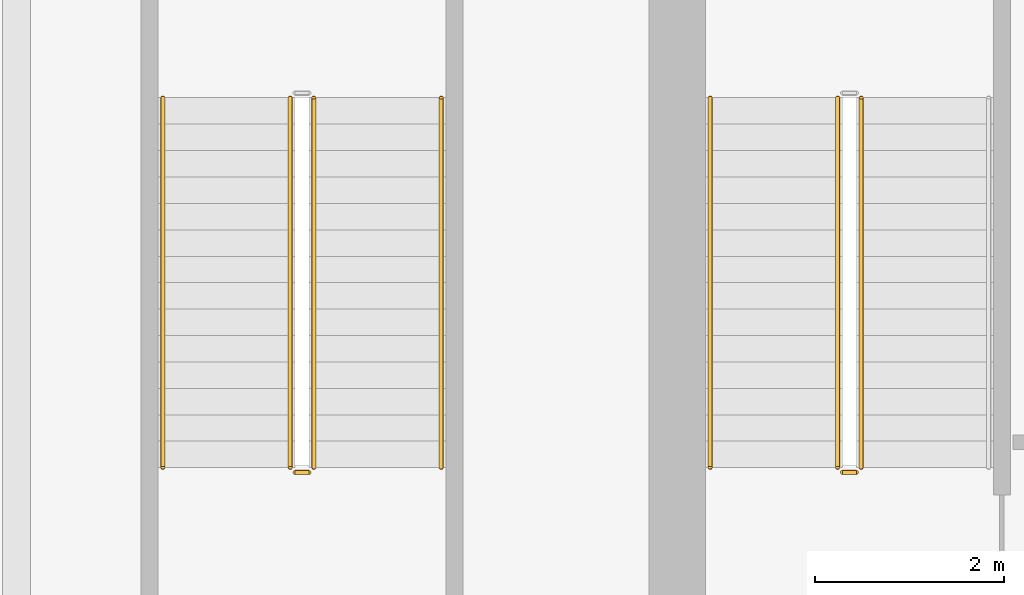
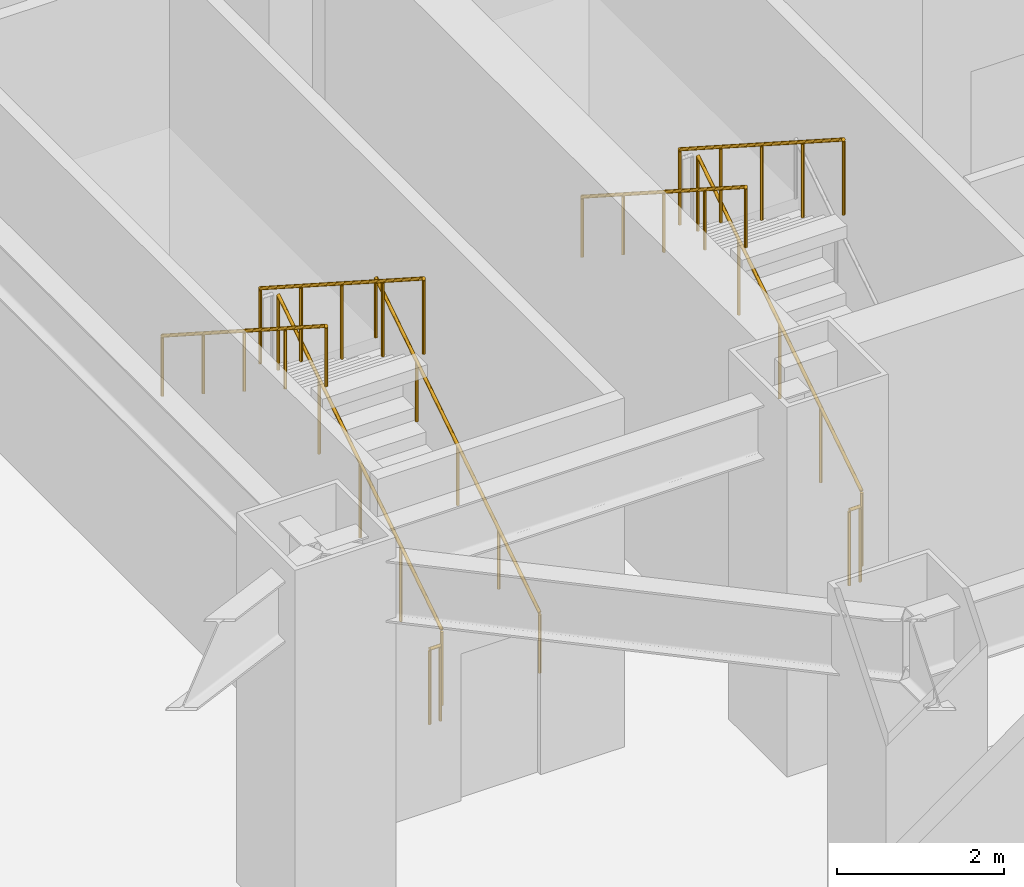
# One storey, part 46 of 52: 9 railings.
"""IFC4 building model written with IfcOpenShell, lengths in metres."""

import ifcopenshell
import ifcopenshell.guid

model = None  # the IFC model being written
_history = None  # IfcOwnerHistory: only IFC2X3 demands one
_inside = {}  # id of a spatial element -> (the spatial element, [elements in it])
_under = {}  # id of a project, library or spatial element -> (it, [spatial elements below it])
_declared = {}  # id of a project -> (the project, [libraries it declares])
_typed = {}  # id of a type object -> (the type object, [elements of that type])
_made_of = {}  # id of a material, layer set ... -> (it, [elements and type objects made of it])


def new_model(schema):
    """Start an empty IFC model of exactly this schema.

    Asked for "IFC4X3", IfcOpenShell would pick the latest addendum, in which some entities
    have other attributes; the version numbers below select the first issue.
    IFC2X3 requires an IfcOwnerHistory on every rooted entity: one is made here for all.
    """
    global model, _history
    if schema == "IFC4X3":
        model = ifcopenshell.file(schema_version=(4, 3, 0, 0))
    else:
        model = ifcopenshell.file(schema=schema)
    _inside.clear()
    _under.clear()
    _declared.clear()
    _typed.clear()
    _made_of.clear()
    _history = None
    if model.schema == "IFC2X3":
        org = make("IfcOrganization", Name="unknown")
        user = make(
            "IfcPersonAndOrganization",
            ThePerson=make("IfcPerson", FamilyName="unknown"),
            TheOrganization=org,
        )
        app = make(
            "IfcApplication",
            ApplicationDeveloper=org,
            Version="unknown",
            ApplicationFullName="unknown",
            ApplicationIdentifier="unknown",
        )
        _history = make(
            "IfcOwnerHistory",
            OwningUser=user,
            OwningApplication=app,
            ChangeAction="ADDED",
            CreationDate=0,
        )
    return model


def make(cls, **values):
    """One entity of the class cls with the attributes given. An attribute that is None is left unset."""
    return model.create_entity(
        cls, **{name: value for name, value in values.items() if value is not None}
    )


def rooted(cls, **values):
    """An entity with a GlobalId (a new one), such as an element, a storey or a relation."""
    return make(cls, GlobalId=ifcopenshell.guid.new(), OwnerHistory=_history, **values)


def si_unit(unit_type, name, prefix=None):
    """IfcSIUnit, for example si_unit("LENGTHUNIT", "METRE", prefix="MILLI")."""
    return make("IfcSIUnit", UnitType=unit_type, Prefix=prefix, Name=name)


def assignment(units):
    """IfcUnitAssignment: the units of a project."""
    return None if units is None else make("IfcUnitAssignment", Units=units)


def point(xyz):
    """IfcCartesianPoint."""
    return None if xyz is None else make("IfcCartesianPoint", Coordinates=xyz)


def direction(xyz):
    """IfcDirection."""
    return None if xyz is None else make("IfcDirection", DirectionRatios=xyz)


def frame(location, z_axis=None, x_axis=None):
    """IfcAxis2Placement3D, a coordinate frame: its origin and axes. An axis left out is left unset."""
    return make(
        "IfcAxis2Placement3D",
        Location=point(location),
        Axis=direction(z_axis),
        RefDirection=direction(x_axis),
    )


def frame_2d(location, x_axis=None):
    """IfcAxis2Placement2D, a coordinate frame in the plane: its origin and x axis."""
    return make(
        "IfcAxis2Placement2D", Location=point(location), RefDirection=direction(x_axis)
    )


def origin():
    """The frame at (0, 0, 0) with its axes left unset."""
    return frame((0.0, 0.0, 0.0))


def origin_2d():
    """The frame at (0, 0) in the plane with its x axis left unset."""
    return frame_2d((0.0, 0.0))


def place(relative_to, where):
    """IfcLocalPlacement: puts the frame where relative to a parent placement (None: the world)."""
    return make(
        "IfcLocalPlacement", PlacementRelTo=relative_to, RelativePlacement=where
    )


def context(
    kind, dimensions, precision=None, world=None, true_north=None, identifier=None
):
    """IfcGeometricRepresentationContext, for example the 3D "Model" context."""
    return make(
        "IfcGeometricRepresentationContext",
        ContextIdentifier=identifier,
        ContextType=kind,
        CoordinateSpaceDimension=dimensions,
        Precision=precision,
        WorldCoordinateSystem=world,
        TrueNorth=true_north,
    )


def subcontext(parent, identifier, kind, view, scale=None):
    """IfcGeometricRepresentationSubContext, for example "Body" below "Model"."""
    return make(
        "IfcGeometricRepresentationSubContext",
        ContextIdentifier=identifier,
        ContextType=kind,
        ParentContext=parent,
        TargetScale=scale,
        TargetView=view,
    )


def project(units=None, contexts=None):
    """IfcProject with its units and contexts."""
    return rooted(
        "IfcProject",
        Name="project",
        RepresentationContexts=contexts,
        UnitsInContext=assignment(units),
    )


def spatial(cls, under=None, at=None, **own):
    """A site, building, storey or space (cls), placed at a placement, below another one or the project."""
    s = rooted(cls, ObjectPlacement=at, **own)
    if under is not None:
        _under.setdefault(under.id(), (under, []))[1].append(s)
    return s


def profile(cls, at=None, kind="AREA", **sizes):
    """A parametric profile (cls). Its sizes go by their IFC names, for example OverallWidth=200.0."""
    return make(cls, ProfileType=kind, Position=at, **sizes)


def circle(**sizes):
    """IfcCircleProfileDef."""
    return profile("IfcCircleProfileDef", **sizes)


def extrude(swept, where, along, depth):
    """IfcExtrudedAreaSolid: the profile swept, set in the frame where, extruded along a direction by depth."""
    return make(
        "IfcExtrudedAreaSolid",
        SweptArea=swept,
        Position=where,
        ExtrudedDirection=direction(along),
        Depth=depth,
    )


def shape(context_of_items, identifier, shape_type, items):
    """IfcShapeRepresentation: the items that make up one representation, for example the "Body"."""
    return make(
        "IfcShapeRepresentation",
        ContextOfItems=context_of_items,
        RepresentationIdentifier=identifier,
        RepresentationType=shape_type,
        Items=items,
    )


def material(Name=None, Category=None):
    """IfcMaterial."""
    return make("IfcMaterial", Name=Name, Category=Category)


def made_of(thing, what):
    """Note that an element or type object is made of a material, layer set ...; save() writes the relation."""
    if what is not None:
        _made_of.setdefault(what.id(), (what, []))[1].append(thing)
    return thing


def type_object(cls, material=None, **own):
    """A type object (cls), such as IfcWallType, which elements share."""
    return made_of(rooted(cls, **own), material)


def element(
    cls,
    number,
    at=None,
    inside=None,
    cuts=None,
    type_object=None,
    material=None,
    context=None,
    identifier="Body",
    shape_type=None,
    held_by="IfcProductDefinitionShape",
    body=None,
    shapes=None,
    **own,
):
    """One element of the class cls, such as IfcWall. Its Tag is "e" and its number.

    at: its placement. inside: the storey or other place that contains it. cuts: it is an
    opening in that element (IfcRelVoidsElement). A single representation is given by context,
    identifier, shape_type and body (its items); several are given by shapes. held_by: the class
    of the entity that holds the representations. save() writes the other relations.
    """
    e = rooted(cls, Tag="e%d" % number, ObjectPlacement=at, **own)
    if body is not None:
        shapes = [shape(context, identifier, shape_type, body)]
    if shapes is not None:
        e.Representation = make(held_by, Representations=shapes)
    if inside is not None:
        _inside.setdefault(inside.id(), (inside, []))[1].append(e)
    if cuts is not None:
        rooted(
            "IfcRelVoidsElement", RelatingBuildingElement=cuts, RelatedOpeningElement=e
        )
    if type_object is not None:
        _typed.setdefault(type_object.id(), (type_object, []))[1].append(e)
    return made_of(e, material)


def aggregate(whole, parts):
    """IfcRelAggregates: a whole, such as a stair, and the parts it consists of."""
    return rooted("IfcRelAggregates", RelatingObject=whole, RelatedObjects=parts)


def save(model, path):
    """Write the relations noted so far, then the file.

    IfcRelAggregates (storeys below a building ...), IfcRelContainedInSpatialStructure (elements
    in a storey), IfcRelDefinesByType, IfcRelAssociatesMaterial and IfcRelDeclares: one each for
    every whole, place, type object, material and project.
    """
    for whole, parts in _under.values():
        aggregate(whole, parts)
    for where, things in _inside.values():
        rooted(
            "IfcRelContainedInSpatialStructure",
            RelatedElements=things,
            RelatingStructure=where,
        )
    for kind, things in _typed.values():
        rooted("IfcRelDefinesByType", RelatedObjects=things, RelatingType=kind)
    for what, things in _made_of.values():
        rooted("IfcRelAssociatesMaterial", RelatedObjects=things, RelatingMaterial=what)
    for by, libraries in _declared.values():
        rooted("IfcRelDeclares", RelatingContext=by, RelatedDefinitions=libraries)
    model.write(path)


model = new_model("IFC4")

# Units and contexts
model_context = context("Model", 3, precision=1e-05, world=origin(), true_north=direction((0.0, 1.0)))
body_context = subcontext(model_context, "Body", "Model", "MODEL_VIEW")
ifc_project = project(units=[si_unit("LENGTHUNIT", "METRE"), si_unit("AREAUNIT", "SQUARE_METRE"), si_unit("VOLUMEUNIT", "CUBIC_METRE"), si_unit("PLANEANGLEUNIT", "RADIAN"), si_unit("MASSUNIT", "GRAM", prefix="KILO")], contexts=[model_context])

# Site, building, storey
site_placement = place(None, origin())
site = spatial("IfcSite", under=ifc_project, at=site_placement, CompositionType="ELEMENT")
building_placement = place(site_placement, origin())
building = spatial("IfcBuilding", under=site, at=building_placement, Name="Saevonmaru Cultural Tower", CompositionType="ELEMENT")
storey_placement = place(building_placement, frame((0.0, 0.0, 16.800048828125)))
storey = spatial("IfcBuildingStorey", under=building, at=storey_placement, Name="L03", CompositionType="ELEMENT", Elevation=16.800048828125)

# Railings
ifc_material_1 = material(Name="Architectural Painted Steel", Category="steel")
railing_type_1 = type_object("IfcRailingType", Name="RL-STAIR-GUARD", PredefinedType="GUARDRAIL", material=ifc_material_1)
railing_1_placement = place(storey_placement, frame((15.75, 44.85009765625, 0.179931640625)))
element("IfcRailing", 1, at=railing_1_placement, inside=storey, type_object=railing_type_1, Name="L03 ST-1 stair guard 1", PredefinedType="GUARDRAIL", context=body_context, shape_type="SweptSolid", body=[
    extrude(circle(Radius=0.02392578125, at=origin_2d()), frame((0.0, 0.0, 1.09619140625), z_axis=(0.0, 0.841171666519, 0.540768182723), x_axis=(-1.0, 0.0, 0.0)), (0.0, 0.0, 1.0), 4.66015625),
    extrude(circle(Radius=0.02099609375, at=origin_2d()), origin(), (0.0, 0.0, 1.0), 1.072021484375),
    extrude(circle(Radius=0.02099609375, at=origin_2d()), frame((0.0, 0.97998046875, 0.6298828125)), (0.0, 0.0, 1.0), 1.072021484375),
    extrude(circle(Radius=0.02099609375, at=origin_2d()), frame((0.0, 1.9599609375, 1.260009765625)), (0.0, 0.0, 1.0), 1.072021484375),
    extrude(circle(Radius=0.02099609375, at=origin_2d()), frame((0.0, 2.93994140625, 1.89013671875)), (0.0, 0.0, 1.0), 1.072021484375),
    extrude(circle(Radius=0.02099609375, at=origin_2d()), frame((0.0, 3.919921875, 2.52001953125)), (0.0, 0.0, 1.0), 1.072021484375),
])
railing_2_placement = place(storey_placement, frame((15.5, 48.77001953125, 2.8798828125)))
element("IfcRailing", 2, at=railing_2_placement, inside=storey, type_object=railing_type_1, Name="L03 ST-1 stair guard 3", PredefinedType="GUARDRAIL", context=body_context, shape_type="SweptSolid", body=[
    extrude(circle(Radius=0.02392578125, at=origin_2d()), frame((0.0, 0.0, 1.09619140625), z_axis=(0.0, -0.841171666519, 0.540768182723), x_axis=(1.0, 0.0, 0.0)), (0.0, 0.0, 1.0), 4.66015625),
    extrude(circle(Radius=0.02099609375, at=origin_2d()), origin(), (0.0, 0.0, 1.0), 1.072021484375),
    extrude(circle(Radius=0.02099609375, at=origin_2d()), frame((0.0, -0.97998046875, 0.6298828125)), (0.0, 0.0, 1.0), 1.072021484375),
    extrude(circle(Radius=0.02099609375, at=origin_2d()), frame((0.0, -1.9599609375, 1.260009765625)), (0.0, 0.0, 1.0), 1.072021484375),
    extrude(circle(Radius=0.02099609375, at=origin_2d()), frame((0.0, -2.93994140625, 1.89013671875)), (0.0, 0.0, 1.0), 1.072021484375),
    extrude(circle(Radius=0.02099609375, at=origin_2d()), frame((0.0, -3.919921875, 2.52001953125)), (0.0, 0.0, 1.0), 1.072021484375),
])
railing_3_placement = place(storey_placement, frame((15.699951171875, 44.800048828125, 0.0)))
element("IfcRailing", 3, at=railing_3_placement, inside=storey, type_object=railing_type_1, Name="L03 ST-1 stair guard 4", PredefinedType="GUARDRAIL", context=body_context, shape_type="SweptSolid", body=[
    extrude(circle(Radius=0.02392578125, at=origin_2d()), frame((0.0, 0.0, 1.09619140625), z_axis=(-1.0, 0.0, 0.0), x_axis=(0.0, -1.0, 0.0)), (0.0, 0.0, 1.0), 0.14990234375),
    extrude(circle(Radius=0.02099609375, at=origin_2d()), origin(), (0.0, 0.0, 1.0), 1.072021484375),
    extrude(circle(Radius=0.02099609375, at=origin_2d()), frame((-0.14990234375, 0.0, 0.0)), (0.0, 0.0, 1.0), 1.072021484375),
])
railing_4_placement = place(storey_placement, frame((9.949951171875, 44.85009765625, 0.179931640625)))
element("IfcRailing", 4, at=railing_4_placement, inside=storey, type_object=railing_type_1, Name="L03 ST-3 stair guard 1", PredefinedType="GUARDRAIL", context=body_context, shape_type="SweptSolid", body=[
    extrude(circle(Radius=0.02392578125, at=origin_2d()), frame((0.0, 0.0, 1.09619140625), z_axis=(0.0, 0.841171666519, 0.540768182723), x_axis=(-1.0, 0.0, 0.0)), (0.0, 0.0, 1.0), 4.66015625),
    extrude(circle(Radius=0.02099609375, at=origin_2d()), origin(), (0.0, 0.0, 1.0), 1.072021484375),
    extrude(circle(Radius=0.02099609375, at=origin_2d()), frame((0.0, 0.97998046875, 0.6298828125)), (0.0, 0.0, 1.0), 1.072021484375),
    extrude(circle(Radius=0.02099609375, at=origin_2d()), frame((0.0, 1.9599609375, 1.260009765625)), (0.0, 0.0, 1.0), 1.072021484375),
    extrude(circle(Radius=0.02099609375, at=origin_2d()), frame((0.0, 2.93994140625, 1.89013671875)), (0.0, 0.0, 1.0), 1.072021484375),
    extrude(circle(Radius=0.02099609375, at=origin_2d()), frame((0.0, 3.919921875, 2.52001953125)), (0.0, 0.0, 1.0), 1.072021484375),
])
railing_5_placement = place(storey_placement, frame((9.699951171875, 48.77001953125, 2.8798828125)))
element("IfcRailing", 5, at=railing_5_placement, inside=storey, type_object=railing_type_1, Name="L03 ST-3 stair guard 3", PredefinedType="GUARDRAIL", context=body_context, shape_type="SweptSolid", body=[
    extrude(circle(Radius=0.02392578125, at=origin_2d()), frame((0.0, 0.0, 1.09619140625), z_axis=(0.0, -0.841171666519, 0.540768182723), x_axis=(1.0, 0.0, 0.0)), (0.0, 0.0, 1.0), 4.66015625),
    extrude(circle(Radius=0.02099609375, at=origin_2d()), origin(), (0.0, 0.0, 1.0), 1.072021484375),
    extrude(circle(Radius=0.02099609375, at=origin_2d()), frame((0.0, -0.97998046875, 0.6298828125)), (0.0, 0.0, 1.0), 1.072021484375),
    extrude(circle(Radius=0.02099609375, at=origin_2d()), frame((0.0, -1.9599609375, 1.260009765625)), (0.0, 0.0, 1.0), 1.072021484375),
    extrude(circle(Radius=0.02099609375, at=origin_2d()), frame((0.0, -2.93994140625, 1.89013671875)), (0.0, 0.0, 1.0), 1.072021484375),
    extrude(circle(Radius=0.02099609375, at=origin_2d()), frame((0.0, -3.919921875, 2.52001953125)), (0.0, 0.0, 1.0), 1.072021484375),
])
railing_6_placement = place(storey_placement, frame((9.89990234375, 44.800048828125, 0.0)))
element("IfcRailing", 6, at=railing_6_placement, inside=storey, type_object=railing_type_1, Name="L03 ST-3 stair guard 4", PredefinedType="GUARDRAIL", context=body_context, shape_type="SweptSolid", body=[
    extrude(circle(Radius=0.02392578125, at=origin_2d()), frame((0.0, 0.0, 1.09619140625), z_axis=(-1.0, 0.0, 0.0), x_axis=(0.0, -1.0, 0.0)), (0.0, 0.0, 1.0), 0.14990234375),
    extrude(circle(Radius=0.02099609375, at=origin_2d()), origin(), (0.0, 0.0, 1.0), 1.072021484375),
    extrude(circle(Radius=0.02099609375, at=origin_2d()), frame((-0.14990234375, 0.0, 0.0)), (0.0, 0.0, 1.0), 1.072021484375),
])
ifc_material_2 = material(Name="Satin Bronze Anodised Aluminium", Category="aluminium")
railing_type_2 = type_object("IfcRailingType", Name="RL-STAIR-HANDRAIL", PredefinedType="HANDRAIL", material=ifc_material_2)
railing_7_placement = place(storey_placement, frame((14.14990234375, 48.77001953125, 2.8798828125)))
element("IfcRailing", 7, at=railing_7_placement, inside=storey, type_object=railing_type_2, Name="L03 ST-1 stair handrail 2", PredefinedType="HANDRAIL", context=body_context, shape_type="SweptSolid", body=[
    extrude(circle(Radius=0.02392578125, at=origin_2d()), frame((0.0, 0.0, 0.8759765625), z_axis=(0.0, -0.841171666519, 0.540768182723), x_axis=(1.0, 0.0, 0.0)), (0.0, 0.0, 1.0), 4.66015625),
    extrude(circle(Radius=0.02099609375, at=origin_2d()), origin(), (0.0, 0.0, 1.0), 0.851806640625),
    extrude(circle(Radius=0.02099609375, at=origin_2d()), frame((0.0, -0.97998046875, 0.6298828125)), (0.0, 0.0, 1.0), 0.851806640625),
    extrude(circle(Radius=0.02099609375, at=origin_2d()), frame((0.0, -1.9599609375, 1.260009765625)), (0.0, 0.0, 1.0), 0.851806640625),
    extrude(circle(Radius=0.02099609375, at=origin_2d()), frame((0.0, -2.93994140625, 1.89013671875)), (0.0, 0.0, 1.0), 0.851806640625),
    extrude(circle(Radius=0.02099609375, at=origin_2d()), frame((0.0, -3.919921875, 2.52001953125)), (0.0, 0.0, 1.0), 0.851806640625),
])
railing_8_placement = place(storey_placement, frame((11.300048828125, 44.85009765625, 0.179931640625)))
element("IfcRailing", 8, at=railing_8_placement, inside=storey, type_object=railing_type_2, Name="L03 ST-3 stair handrail 1", PredefinedType="HANDRAIL", context=body_context, shape_type="SweptSolid", body=[
    extrude(circle(Radius=0.02392578125, at=origin_2d()), frame((0.0, 0.0, 0.8759765625), z_axis=(0.0, 0.841171666519, 0.540768182723), x_axis=(-1.0, 0.0, 0.0)), (0.0, 0.0, 1.0), 4.66015625),
    extrude(circle(Radius=0.02099609375, at=origin_2d()), origin(), (0.0, 0.0, 1.0), 0.851806640625),
    extrude(circle(Radius=0.02099609375, at=origin_2d()), frame((0.0, 0.97998046875, 0.6298828125)), (0.0, 0.0, 1.0), 0.851806640625),
    extrude(circle(Radius=0.02099609375, at=origin_2d()), frame((0.0, 1.9599609375, 1.260009765625)), (0.0, 0.0, 1.0), 0.851806640625),
    extrude(circle(Radius=0.02099609375, at=origin_2d()), frame((0.0, 2.93994140625, 1.89013671875)), (0.0, 0.0, 1.0), 0.851806640625),
    extrude(circle(Radius=0.02099609375, at=origin_2d()), frame((0.0, 3.919921875, 2.52001953125)), (0.0, 0.0, 1.0), 0.851806640625),
])
railing_9_placement = place(storey_placement, frame((8.35009765625, 48.77001953125, 2.8798828125)))
element("IfcRailing", 9, at=railing_9_placement, inside=storey, type_object=railing_type_2, Name="L03 ST-3 stair handrail 2", PredefinedType="HANDRAIL", context=body_context, shape_type="SweptSolid", body=[
    extrude(circle(Radius=0.02392578125, at=origin_2d()), frame((0.0, 0.0, 0.8759765625), z_axis=(0.0, -0.841171666519, 0.540768182723), x_axis=(1.0, 0.0, 0.0)), (0.0, 0.0, 1.0), 4.66015625),
    extrude(circle(Radius=0.02099609375, at=origin_2d()), origin(), (0.0, 0.0, 1.0), 0.851806640625),
    extrude(circle(Radius=0.02099609375, at=origin_2d()), frame((0.0, -0.97998046875, 0.6298828125)), (0.0, 0.0, 1.0), 0.851806640625),
    extrude(circle(Radius=0.02099609375, at=origin_2d()), frame((0.0, -1.9599609375, 1.260009765625)), (0.0, 0.0, 1.0), 0.851806640625),
    extrude(circle(Radius=0.02099609375, at=origin_2d()), frame((0.0, -2.93994140625, 1.89013671875)), (0.0, 0.0, 1.0), 0.851806640625),
    extrude(circle(Radius=0.02099609375, at=origin_2d()), frame((0.0, -3.919921875, 2.52001953125)), (0.0, 0.0, 1.0), 0.851806640625),
])

save(model, "model.ifc")
